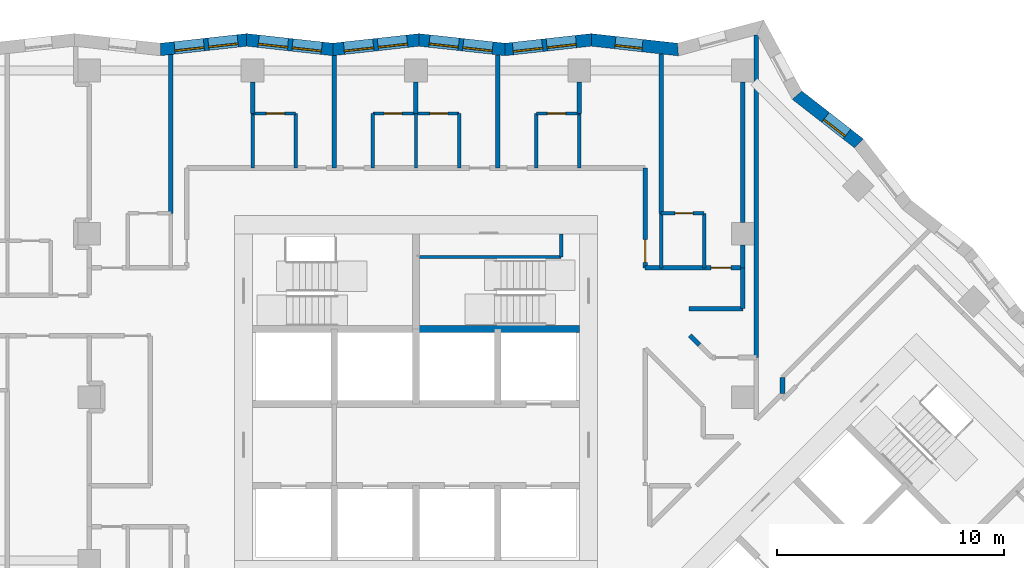
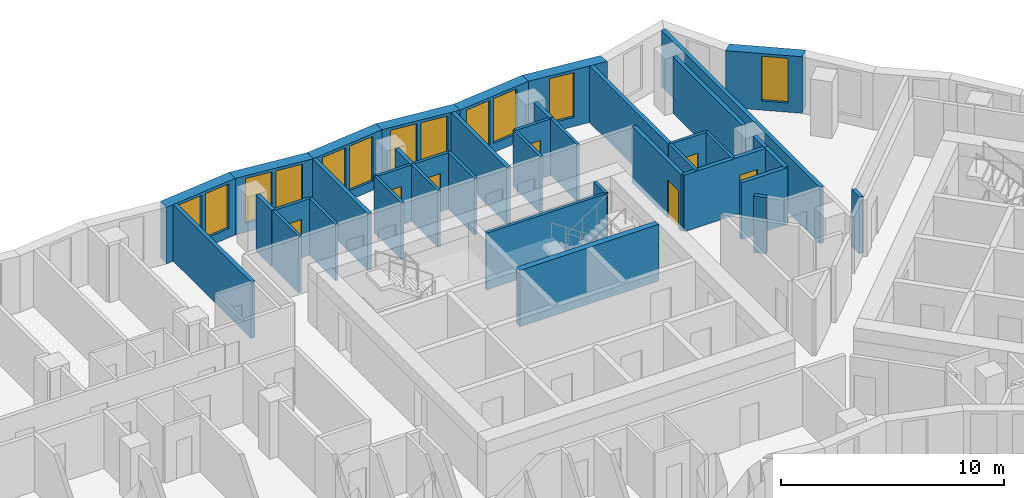
# One storey, part 7 of 13: 39 walls, 12 windows, 7 doors, 19 openings.
"""IFC4 building model written with IfcOpenShell, lengths in metres."""

from ifc_helpers import new_model, si_unit, direction, frame, frame_2d, origin, place, context, subcontext, project, spatial, polyline, rectangle, outline, extrude, material, layer, layer_set, type_object, element, fill, save


model = new_model("IFC4")

# Units and contexts
model_context = context("Model", 3, precision=1e-05, world=origin(), true_north=direction((0.0, 1.0)))
body_context = subcontext(model_context, "Body", "Model", "MODEL_VIEW")
ifc_project = project(units=[si_unit("LENGTHUNIT", "METRE"), si_unit("AREAUNIT", "SQUARE_METRE"), si_unit("VOLUMEUNIT", "CUBIC_METRE"), si_unit("PLANEANGLEUNIT", "RADIAN"), si_unit("MASSUNIT", "GRAM", prefix="KILO")], contexts=[model_context])

# Site, building, storey
site_placement = place(None, origin())
site = spatial("IfcSite", under=ifc_project, at=site_placement, CompositionType="ELEMENT")
building_placement = place(site_placement, origin())
building = spatial("IfcBuilding", under=site, at=building_placement, Name="Windrow Commons", CompositionType="ELEMENT")
storey_placement = place(building_placement, frame((0.0, 0.0, 94.8)))
storey = spatial("IfcBuildingStorey", under=building, at=storey_placement, Name="L25", CompositionType="ELEMENT", Elevation=94.8)

# Wall, opening, window
ifc_material_1 = material(Name="Brick masonry, red clay brick", Category="masonry")
ifc_layer_1 = layer(ifc_material_1, 0.55)
ifc_layer_set_1 = layer_set([ifc_layer_1], Name="Brick facade wall 550")
wall_type_1 = type_object("IfcWallType", Name="Brick facade wall 550", PredefinedType="SOLIDWALL", material=ifc_layer_set_1)
wall_1_placement = place(storey_placement, frame((84.3203, 68.7804, 0.0), z_axis=(0.0, 0.0, 1.0), x_axis=(-0.7884638811, 0.6150810582, 0.0)))
wall_1 = element("IfcWall", 1, at=wall_1_placement, inside=storey, type_object=wall_type_1, Name="Brick facade wall L25 19", PredefinedType="SOLIDWALL", context=body_context, shape_type="SweptSolid", body=[
    extrude(outline(polyline([(-0.034, -0.275), (3.4005, -0.275), (3.516, 0.275), (0.034, 0.275), (-0.034, -0.275)])), origin(), (0.0, 0.0, 1.0), 3.1),
])
opening_1_placement = place(wall_1_placement, frame((0.6743, 0.0, 0.5)))
opening_1 = element("IfcOpeningElement", 2, at=opening_1_placement, cuts=wall_1, Name="Opening W7D", PredefinedType="OPENING", context=body_context, shape_type="SweptSolid", body=[
    extrude(rectangle(XDim=1.2, YDim=2.45, at=frame_2d((0.6, 1.225))), frame((0.0, 0.285, 0.0), z_axis=(0.0, -1.0, 0.0), x_axis=(1.0, 0.0, 0.0)), (0.0, 0.0, 1.0), 0.57),
])
ifc_material_2 = material(Name="Clear float glass in anodised aluminium frame", Category="aluminium")
window_type_1 = type_object("IfcWindowType", Name="Window W7 notch 1200x2450", PartitioningType="SINGLE_PANEL", PredefinedType="WINDOW", material=ifc_material_2)
window_1_placement = place(opening_1_placement, origin())
window_1 = element("IfcWindow", 3, at=window_1_placement, inside=storey, type_object=window_type_1, Name="Window L25 19.1", OverallHeight=2.45, OverallWidth=1.2, PartitioningType="SINGLE_PANEL", PredefinedType="WINDOW", context=body_context, shape_type="SweptSolid", body=[
    extrude(rectangle(XDim=1.2, YDim=2.45, at=frame_2d((0.6, 1.225))), frame((0.0, 0.155, 0.0), z_axis=(0.0, -1.0, 0.0), x_axis=(1.0, 0.0, 0.0)), (0.0, 0.0, 1.0), 0.06),
])
fill(opening_1, window_1)

wall_2_placement = place(storey_placement, frame((76.345, 72.921, 0.0), z_axis=(0.0, 0.0, 1.0), x_axis=(-0.9939087915, 0.1102057815, 0.0)))
wall_2 = element("IfcWall", 4, at=wall_2_placement, inside=storey, type_object=wall_type_1, Name="Brick facade wall L25 22", PredefinedType="SOLIDWALL", context=body_context, shape_type="SweptSolid", body=[
    extrude(outline(polyline([(0.0519, -0.275), (3.8715, -0.275), (3.8105, 0.275), (-0.0519, 0.275), (0.0519, -0.275)])), origin(), (0.0, 0.0, 1.0), 3.1),
])
opening_2_placement = place(wall_2_placement, frame((1.58, 0.0, 0.5)))
opening_2 = element("IfcOpeningElement", 5, at=opening_2_placement, cuts=wall_2, Name="Opening W7D", PredefinedType="OPENING", context=body_context, shape_type="SweptSolid", body=[
    extrude(rectangle(XDim=1.2, YDim=2.45, at=frame_2d((0.6, 1.225))), frame((0.0, 0.285, 0.0), z_axis=(0.0, -1.0, 0.0), x_axis=(1.0, 0.0, 0.0)), (0.0, 0.0, 1.0), 0.57),
])
window_2_placement = place(opening_2_placement, origin())
window_2 = element("IfcWindow", 6, at=window_2_placement, inside=storey, type_object=window_type_1, Name="Window L25 22.1", OverallHeight=2.45, OverallWidth=1.2, PartitioningType="SINGLE_PANEL", PredefinedType="WINDOW", context=body_context, shape_type="SweptSolid", body=[
    extrude(rectangle(XDim=1.2, YDim=2.45, at=frame_2d((0.6, 1.225))), frame((0.0, 0.155, 0.0), z_axis=(0.0, -1.0, 0.0), x_axis=(1.0, 0.0, 0.0)), (0.0, 0.0, 1.0), 0.06),
])
fill(opening_2, window_2)

# Wall, openings, windows
wall_3_placement = place(storey_placement, frame((72.5274, 73.3443, 0.0), z_axis=(0.0, 0.0, 1.0), x_axis=(-0.99390702, -0.1102217568, 0.0)))
wall_3 = element("IfcWall", 7, at=wall_3_placement, inside=storey, type_object=wall_type_1, Name="Brick facade wall L25 23", PredefinedType="SOLIDWALL", context=body_context, shape_type="SweptSolid", body=[
    extrude(outline(polyline([(-0.0305, -0.275), (3.7891, -0.275), (3.8501, 0.275), (0.0305, 0.275), (-0.0305, -0.275)])), origin(), (0.0, 0.0, 1.0), 3.1),
])
opening_3_placement = place(wall_3_placement, frame((0.6751, 0.0, 0.5)))
opening_3 = element("IfcOpeningElement", 8, at=opening_3_placement, cuts=wall_3, Name="Opening W1P", PredefinedType="OPENING", context=body_context, shape_type="SweptSolid", body=[
    extrude(rectangle(XDim=1.3, YDim=2.45, at=frame_2d((0.65, 1.225))), frame((0.0, 0.285, 0.0), z_axis=(0.0, -1.0, 0.0), x_axis=(1.0, 0.0, 0.0)), (0.0, 0.0, 1.0), 0.57),
])
opening_4_placement = place(wall_3_placement, frame((2.1751, 0.0, 0.5)))
opening_4 = element("IfcOpeningElement", 9, at=opening_4_placement, cuts=wall_3, Name="Opening W1P", PredefinedType="OPENING", context=body_context, shape_type="SweptSolid", body=[
    extrude(rectangle(XDim=1.3, YDim=2.45, at=frame_2d((0.65, 1.225))), frame((0.0, 0.285, 0.0), z_axis=(0.0, -1.0, 0.0), x_axis=(1.0, 0.0, 0.0)), (0.0, 0.0, 1.0), 0.57),
])
ifc_material_3 = material(Name="Clear float glass in anodised aluminium frame", Category="aluminium")
window_type_2 = type_object("IfcWindowType", Name="Window W1P pair 1300x2450", PartitioningType="SINGLE_PANEL", PredefinedType="WINDOW", material=ifc_material_3)
window_3_placement = place(opening_3_placement, origin())
window_3 = element("IfcWindow", 10, at=window_3_placement, inside=storey, type_object=window_type_2, Name="Window L25 23.1A", OverallHeight=2.45, OverallWidth=1.3, PartitioningType="SINGLE_PANEL", PredefinedType="WINDOW", context=body_context, shape_type="SweptSolid", body=[
    extrude(rectangle(XDim=1.3, YDim=2.45, at=frame_2d((0.65, 1.225))), frame((0.0, 0.155, 0.0), z_axis=(0.0, -1.0, 0.0), x_axis=(1.0, 0.0, 0.0)), (0.0, 0.0, 1.0), 0.06),
])
fill(opening_3, window_3)
window_4_placement = place(opening_4_placement, origin())
window_4 = element("IfcWindow", 11, at=window_4_placement, inside=storey, type_object=window_type_2, Name="Window L25 23.1B", OverallHeight=2.45, OverallWidth=1.3, PartitioningType="SINGLE_PANEL", PredefinedType="WINDOW", context=body_context, shape_type="SweptSolid", body=[
    extrude(rectangle(XDim=1.3, YDim=2.45, at=frame_2d((0.65, 1.225))), frame((0.0, 0.155, 0.0), z_axis=(0.0, -1.0, 0.0), x_axis=(1.0, 0.0, 0.0)), (0.0, 0.0, 1.0), 0.06),
])
fill(opening_4, window_4)

wall_4_placement = place(storey_placement, frame((68.7311, 72.9233, 0.0), z_axis=(0.0, 0.0, 1.0), x_axis=(-0.99390702, 0.1102217568, 0.0)))
wall_4 = element("IfcWall", 12, at=wall_4_placement, inside=storey, type_object=wall_type_1, Name="Brick facade wall L25 24", PredefinedType="SOLIDWALL", context=body_context, shape_type="SweptSolid", body=[
    extrude(outline(polyline([(0.0305, -0.275), (3.8501, -0.275), (3.7891, 0.275), (-0.0305, 0.275), (0.0305, -0.275)])), origin(), (0.0, 0.0, 1.0), 3.1),
])
opening_5_placement = place(wall_4_placement, frame((0.5611, 0.0, 0.5)))
opening_5 = element("IfcOpeningElement", 13, at=opening_5_placement, cuts=wall_4, Name="Opening W1P", PredefinedType="OPENING", context=body_context, shape_type="SweptSolid", body=[
    extrude(rectangle(XDim=1.3, YDim=2.45, at=frame_2d((0.65, 1.225))), frame((0.0, 0.285, 0.0), z_axis=(0.0, -1.0, 0.0), x_axis=(1.0, 0.0, 0.0)), (0.0, 0.0, 1.0), 0.57),
])
opening_6_placement = place(wall_4_placement, frame((2.0611, 0.0, 0.5)))
opening_6 = element("IfcOpeningElement", 14, at=opening_6_placement, cuts=wall_4, Name="Opening W1P", PredefinedType="OPENING", context=body_context, shape_type="SweptSolid", body=[
    extrude(rectangle(XDim=1.3, YDim=2.45, at=frame_2d((0.65, 1.225))), frame((0.0, 0.285, 0.0), z_axis=(0.0, -1.0, 0.0), x_axis=(1.0, 0.0, 0.0)), (0.0, 0.0, 1.0), 0.57),
])
window_5_placement = place(opening_5_placement, origin())
window_5 = element("IfcWindow", 15, at=window_5_placement, inside=storey, type_object=window_type_2, Name="Window L25 24.1A", OverallHeight=2.45, OverallWidth=1.3, PartitioningType="SINGLE_PANEL", PredefinedType="WINDOW", context=body_context, shape_type="SweptSolid", body=[
    extrude(rectangle(XDim=1.3, YDim=2.45, at=frame_2d((0.65, 1.225))), frame((0.0, 0.155, 0.0), z_axis=(0.0, -1.0, 0.0), x_axis=(1.0, 0.0, 0.0)), (0.0, 0.0, 1.0), 0.06),
])
fill(opening_5, window_5)
window_6_placement = place(opening_6_placement, origin())
window_6 = element("IfcWindow", 16, at=window_6_placement, inside=storey, type_object=window_type_2, Name="Window L25 24.1B", OverallHeight=2.45, OverallWidth=1.3, PartitioningType="SINGLE_PANEL", PredefinedType="WINDOW", context=body_context, shape_type="SweptSolid", body=[
    extrude(rectangle(XDim=1.3, YDim=2.45, at=frame_2d((0.65, 1.225))), frame((0.0, 0.155, 0.0), z_axis=(0.0, -1.0, 0.0), x_axis=(1.0, 0.0, 0.0)), (0.0, 0.0, 1.0), 0.06),
])
fill(opening_6, window_6)

wall_5_placement = place(storey_placement, frame((64.9348, 73.3443, 0.0), z_axis=(0.0, 0.0, 1.0), x_axis=(-0.993907338, -0.1102188888, 0.0)))
wall_5 = element("IfcWall", 17, at=wall_5_placement, inside=storey, type_object=wall_type_1, Name="Brick facade wall L25 25", PredefinedType="SOLIDWALL", context=body_context, shape_type="SweptSolid", body=[
    extrude(outline(polyline([(-0.0305, -0.275), (3.7891, -0.275), (3.8501, 0.275), (0.0305, 0.275), (-0.0305, -0.275)])), origin(), (0.0, 0.0, 1.0), 3.1),
])
opening_7_placement = place(wall_5_placement, frame((0.525, 0.0, 0.5)))
opening_7 = element("IfcOpeningElement", 18, at=opening_7_placement, cuts=wall_5, Name="Opening W1P", PredefinedType="OPENING", context=body_context, shape_type="SweptSolid", body=[
    extrude(rectangle(XDim=1.3, YDim=2.45, at=frame_2d((0.65, 1.225))), frame((0.0, 0.285, 0.0), z_axis=(0.0, -1.0, 0.0), x_axis=(1.0, 0.0, 0.0)), (0.0, 0.0, 1.0), 0.57),
])
opening_8_placement = place(wall_5_placement, frame((2.025, 0.0, 0.5)))
opening_8 = element("IfcOpeningElement", 19, at=opening_8_placement, cuts=wall_5, Name="Opening W1P", PredefinedType="OPENING", context=body_context, shape_type="SweptSolid", body=[
    extrude(rectangle(XDim=1.3, YDim=2.45, at=frame_2d((0.65, 1.225))), frame((0.0, 0.285, 0.0), z_axis=(0.0, -1.0, 0.0), x_axis=(1.0, 0.0, 0.0)), (0.0, 0.0, 1.0), 0.57),
])
window_7_placement = place(opening_7_placement, origin())
window_7 = element("IfcWindow", 20, at=window_7_placement, inside=storey, type_object=window_type_2, Name="Window L25 25.1A", OverallHeight=2.45, OverallWidth=1.3, PartitioningType="SINGLE_PANEL", PredefinedType="WINDOW", context=body_context, shape_type="SweptSolid", body=[
    extrude(rectangle(XDim=1.3, YDim=2.45, at=frame_2d((0.65, 1.225))), frame((0.0, 0.155, 0.0), z_axis=(0.0, -1.0, 0.0), x_axis=(1.0, 0.0, 0.0)), (0.0, 0.0, 1.0), 0.06),
])
fill(opening_7, window_7)
window_8_placement = place(opening_8_placement, origin())
window_8 = element("IfcWindow", 21, at=window_8_placement, inside=storey, type_object=window_type_2, Name="Window L25 25.1B", OverallHeight=2.45, OverallWidth=1.3, PartitioningType="SINGLE_PANEL", PredefinedType="WINDOW", context=body_context, shape_type="SweptSolid", body=[
    extrude(rectangle(XDim=1.3, YDim=2.45, at=frame_2d((0.65, 1.225))), frame((0.0, 0.155, 0.0), z_axis=(0.0, -1.0, 0.0), x_axis=(1.0, 0.0, 0.0)), (0.0, 0.0, 1.0), 0.06),
])
fill(opening_8, window_8)

wall_6_placement = place(storey_placement, frame((61.1384, 72.9233, 0.0), z_axis=(0.0, 0.0, 1.0), x_axis=(-0.99390702, 0.1102217568, 0.0)))
wall_6 = element("IfcWall", 22, at=wall_6_placement, inside=storey, type_object=wall_type_1, Name="Brick facade wall L25 26", PredefinedType="SOLIDWALL", context=body_context, shape_type="SweptSolid", body=[
    extrude(outline(polyline([(0.0305, -0.275), (3.8501, -0.275), (3.7891, 0.275), (-0.0305, 0.275), (0.0305, -0.275)])), origin(), (0.0, 0.0, 1.0), 3.1),
])
opening_9_placement = place(wall_6_placement, frame((0.4945, 0.0, 0.5)))
opening_9 = element("IfcOpeningElement", 23, at=opening_9_placement, cuts=wall_6, Name="Opening W1P", PredefinedType="OPENING", context=body_context, shape_type="SweptSolid", body=[
    extrude(rectangle(XDim=1.3, YDim=2.45, at=frame_2d((0.65, 1.225))), frame((0.0, 0.285, 0.0), z_axis=(0.0, -1.0, 0.0), x_axis=(1.0, 0.0, 0.0)), (0.0, 0.0, 1.0), 0.57),
])
opening_10_placement = place(wall_6_placement, frame((1.9945, 0.0, 0.5)))
opening_10 = element("IfcOpeningElement", 24, at=opening_10_placement, cuts=wall_6, Name="Opening W1P", PredefinedType="OPENING", context=body_context, shape_type="SweptSolid", body=[
    extrude(rectangle(XDim=1.3, YDim=2.45, at=frame_2d((0.65, 1.225))), frame((0.0, 0.285, 0.0), z_axis=(0.0, -1.0, 0.0), x_axis=(1.0, 0.0, 0.0)), (0.0, 0.0, 1.0), 0.57),
])
window_9_placement = place(opening_9_placement, origin())
window_9 = element("IfcWindow", 25, at=window_9_placement, inside=storey, type_object=window_type_2, Name="Window L25 26.1A", OverallHeight=2.45, OverallWidth=1.3, PartitioningType="SINGLE_PANEL", PredefinedType="WINDOW", context=body_context, shape_type="SweptSolid", body=[
    extrude(rectangle(XDim=1.3, YDim=2.45, at=frame_2d((0.65, 1.225))), frame((0.0, 0.155, 0.0), z_axis=(0.0, -1.0, 0.0), x_axis=(1.0, 0.0, 0.0)), (0.0, 0.0, 1.0), 0.06),
])
fill(opening_9, window_9)
window_10_placement = place(opening_10_placement, origin())
window_10 = element("IfcWindow", 26, at=window_10_placement, inside=storey, type_object=window_type_2, Name="Window L25 26.1B", OverallHeight=2.45, OverallWidth=1.3, PartitioningType="SINGLE_PANEL", PredefinedType="WINDOW", context=body_context, shape_type="SweptSolid", body=[
    extrude(rectangle(XDim=1.3, YDim=2.45, at=frame_2d((0.65, 1.225))), frame((0.0, 0.155, 0.0), z_axis=(0.0, -1.0, 0.0), x_axis=(1.0, 0.0, 0.0)), (0.0, 0.0, 1.0), 0.06),
])
fill(opening_10, window_10)

wall_7_placement = place(storey_placement, frame((57.3421, 73.3443, 0.0), z_axis=(0.0, 0.0, 1.0), x_axis=(-0.99390702, -0.1102217568, 0.0)))
wall_7 = element("IfcWall", 27, at=wall_7_placement, inside=storey, type_object=wall_type_1, Name="Brick facade wall L25 27", PredefinedType="SOLIDWALL", context=body_context, shape_type="SweptSolid", body=[
    extrude(outline(polyline([(-0.0305, -0.275), (3.7891, -0.275), (3.8501, 0.275), (0.0305, 0.275), (-0.0305, -0.275)])), origin(), (0.0, 0.0, 1.0), 3.1),
])
opening_11_placement = place(wall_7_placement, frame((0.3966, 0.0, 0.5)))
opening_11 = element("IfcOpeningElement", 28, at=opening_11_placement, cuts=wall_7, Name="Opening W1P", PredefinedType="OPENING", context=body_context, shape_type="SweptSolid", body=[
    extrude(rectangle(XDim=1.3, YDim=2.45, at=frame_2d((0.65, 1.225))), frame((0.0, 0.285, 0.0), z_axis=(0.0, -1.0, 0.0), x_axis=(1.0, 0.0, 0.0)), (0.0, 0.0, 1.0), 0.57),
])
opening_12_placement = place(wall_7_placement, frame((1.8966, 0.0, 0.5)))
opening_12 = element("IfcOpeningElement", 29, at=opening_12_placement, cuts=wall_7, Name="Opening W1P", PredefinedType="OPENING", context=body_context, shape_type="SweptSolid", body=[
    extrude(rectangle(XDim=1.3, YDim=2.45, at=frame_2d((0.65, 1.225))), frame((0.0, 0.285, 0.0), z_axis=(0.0, -1.0, 0.0), x_axis=(1.0, 0.0, 0.0)), (0.0, 0.0, 1.0), 0.57),
])
window_11_placement = place(opening_11_placement, origin())
window_11 = element("IfcWindow", 30, at=window_11_placement, inside=storey, type_object=window_type_2, Name="Window L25 27.1A", OverallHeight=2.45, OverallWidth=1.3, PartitioningType="SINGLE_PANEL", PredefinedType="WINDOW", context=body_context, shape_type="SweptSolid", body=[
    extrude(rectangle(XDim=1.3, YDim=2.45, at=frame_2d((0.65, 1.225))), frame((0.0, 0.155, 0.0), z_axis=(0.0, -1.0, 0.0), x_axis=(1.0, 0.0, 0.0)), (0.0, 0.0, 1.0), 0.06),
])
fill(opening_11, window_11)
window_12_placement = place(opening_12_placement, origin())
window_12 = element("IfcWindow", 31, at=window_12_placement, inside=storey, type_object=window_type_2, Name="Window L25 27.1B", OverallHeight=2.45, OverallWidth=1.3, PartitioningType="SINGLE_PANEL", PredefinedType="WINDOW", context=body_context, shape_type="SweptSolid", body=[
    extrude(rectangle(XDim=1.3, YDim=2.45, at=frame_2d((0.65, 1.225))), frame((0.0, 0.155, 0.0), z_axis=(0.0, -1.0, 0.0), x_axis=(1.0, 0.0, 0.0)), (0.0, 0.0, 1.0), 0.06),
])
fill(opening_12, window_12)

# Wall, opening, door
ifc_material_4 = material(Name="Blockwork partition", Category="masonry")
ifc_layer_2 = layer(ifc_material_4, 0.2)
ifc_layer_set_2 = layer_set([ifc_layer_2], Name="IW-CORRIDOR-200")
wall_type_2 = type_object("IfcWallType", Name="IW-CORRIDOR-200", PredefinedType="PARTITIONING", material=ifc_layer_set_2)
wall_8_placement = place(storey_placement, frame((74.9, 63.302, 0.0), z_axis=(0.0, 0.0, 1.0), x_axis=(0.0, 1.0, 0.0)))
wall_8 = element("IfcWall", 32, at=wall_8_placement, inside=storey, type_object=wall_type_2, Name="W-L25-W048", PredefinedType="PARTITIONING", context=body_context, shape_type="SweptSolid", body=[
    extrude(rectangle(XDim=4.398, YDim=0.2, at=frame_2d((2.199, 0.0))), origin(), (0.0, 0.0, 1.0), 3.1),
])
opening_13_placement = place(wall_8_placement, frame((0.2417, 0.0, 0.0)))
opening_13 = element("IfcOpeningElement", 33, at=opening_13_placement, cuts=wall_8, Name="Opening D310F", PredefinedType="OPENING", context=body_context, shape_type="SweptSolid", body=[
    extrude(rectangle(XDim=1.0, YDim=2.1, at=frame_2d((0.5, 1.05))), frame((0.0, 0.11, 0.0), z_axis=(0.0, -1.0, 0.0), x_axis=(1.0, 0.0, 0.0)), (0.0, 0.0, 1.0), 0.22),
])
ifc_material_5 = material(Name="Timber door leaf", Category="wood")
door_type_1 = type_object("IfcDoorType", Name="DT-AMENITY-1000", OperationType="SINGLE_SWING_LEFT", PredefinedType="DOOR", material=ifc_material_5)
door_1_placement = place(opening_13_placement, origin())
door_1 = element("IfcDoor", 34, at=door_1_placement, inside=storey, type_object=door_type_1, Name="D-L25-D022", OperationType="SINGLE_SWING_RIGHT", OverallHeight=2.1, OverallWidth=1.0, PredefinedType="DOOR", context=body_context, shape_type="SweptSolid", body=[
    extrude(rectangle(XDim=1.0, YDim=2.1, at=frame_2d((0.5, 1.05))), frame((0.0, 0.025, 0.0), z_axis=(0.0, -1.0, 0.0), x_axis=(1.0, 0.0, 0.0)), (0.0, 0.0, 1.0), 0.05),
])
fill(opening_13, door_1)

wall_9_placement = place(storey_placement, frame((74.902, 63.3, 0.0), z_axis=(0.0, 0.0, 1.0), x_axis=(1.0, 0.0, 0.0)))
wall_9 = element("IfcWall", 35, at=wall_9_placement, inside=storey, type_object=wall_type_2, Name="W-L25-W053", PredefinedType="PARTITIONING", context=body_context, shape_type="SweptSolid", body=[
    extrude(rectangle(XDim=4.298, YDim=0.2, at=frame_2d((2.149, 0.0))), origin(), (0.0, 0.0, 1.0), 3.1),
])
opening_14_placement = place(wall_9_placement, frame((2.888, 0.0, 0.0)))
opening_14 = element("IfcOpeningElement", 36, at=opening_14_placement, cuts=wall_9, Name="Opening D109S", PredefinedType="OPENING", context=body_context, shape_type="SweptSolid", body=[
    extrude(rectangle(XDim=0.9, YDim=2.1, at=frame_2d((0.45, 1.05))), frame((0.0, 0.11, 0.0), z_axis=(0.0, -1.0, 0.0), x_axis=(1.0, 0.0, 0.0)), (0.0, 0.0, 1.0), 0.22),
])
ifc_material_6 = material(Name="Timber door leaf", Category="wood")
door_type_2 = type_object("IfcDoorType", Name="DT-BEDROOM-900", OperationType="SINGLE_SWING_LEFT", PredefinedType="DOOR", material=ifc_material_6)
door_2_placement = place(opening_14_placement, origin())
door_2 = element("IfcDoor", 37, at=door_2_placement, inside=storey, type_object=door_type_2, Name="D-L25-D023", OperationType="SINGLE_SWING_LEFT", OverallHeight=2.1, OverallWidth=0.9, PredefinedType="DOOR", context=body_context, shape_type="SweptSolid", body=[
    extrude(rectangle(XDim=0.9, YDim=2.1, at=frame_2d((0.45, 1.05))), frame((0.0, 0.025, 0.0), z_axis=(0.0, -1.0, 0.0), x_axis=(1.0, 0.0, 0.0)), (0.0, 0.0, 1.0), 0.05),
])
fill(opening_14, door_2)

# Walls
wall_10_placement = place(storey_placement, frame((76.83, 61.5, 0.0), z_axis=(0.0, 0.0, 1.0), x_axis=(1.0, 0.0, 0.0)))
element("IfcWall", 38, at=wall_10_placement, inside=storey, type_object=wall_type_2, Name="W-L25-W113", PredefinedType="PARTITIONING", context=body_context, shape_type="SweptSolid", body=[
    extrude(rectangle(XDim=2.37, YDim=0.2, at=frame_2d((1.185, 0.0))), origin(), (0.0, 0.0, 1.0), 3.1),
])
wall_11_placement = place(storey_placement, frame((79.2, 61.502, 0.0), z_axis=(0.0, 0.0, 1.0), x_axis=(0.0, 1.0, 0.0)))
element("IfcWall", 39, at=wall_11_placement, inside=storey, type_object=wall_type_2, Name="W-L25-W154", PredefinedType="PARTITIONING", context=body_context, shape_type="SweptSolid", body=[
    extrude(rectangle(XDim=1.798, YDim=0.2, at=frame_2d((0.899, 0.0))), origin(), (0.0, 0.0, 1.0), 3.1),
])
wall_12_placement = place(storey_placement, frame((76.8654, 60.3274, 0.0), z_axis=(0.0, 0.0, 1.0), x_axis=(0.7071067812, -0.7071067812, 0.0)))
element("IfcWall", 40, at=wall_12_placement, inside=storey, type_object=wall_type_2, Name="W-L25-W204", PredefinedType="PARTITIONING", context=body_context, shape_type="SweptSolid", body=[
    extrude(rectangle(XDim=0.5968, YDim=0.2, at=frame_2d((0.2984, 0.0))), origin(), (0.0, 0.0, 1.0), 3.1),
])

# Wall, openings, doors
ifc_material_7 = material(Name="Blockwork partition", Category="masonry")
ifc_layer_3 = layer(ifc_material_7, 0.15)
ifc_layer_set_3 = layer_set([ifc_layer_3], Name="IW-ENSUITE-150")
wall_type_3 = type_object("IfcWallType", Name="IW-ENSUITE-150", PredefinedType="PARTITIONING", material=ifc_layer_set_3)
wall_13_placement = place(storey_placement, frame((62.9, 70.1, 0.0), z_axis=(0.0, 0.0, 1.0), x_axis=(1.0, 0.0, 0.0)))
wall_13 = element("IfcWall", 41, at=wall_13_placement, inside=storey, type_object=wall_type_3, Name="W-L25-W055", PredefinedType="PARTITIONING", context=body_context, shape_type="SweptSolid", body=[
    extrude(rectangle(XDim=3.8, YDim=0.15, at=frame_2d((1.9, 0.0))), origin(), (0.0, 0.0, 1.0), 3.1),
])
opening_15_placement = place(wall_13_placement, frame((0.4931, 0.0, 0.0)))
opening_15 = element("IfcOpeningElement", 42, at=opening_15_placement, cuts=wall_13, Name="Opening D208N", PredefinedType="OPENING", context=body_context, shape_type="SweptSolid", body=[
    extrude(rectangle(XDim=0.8, YDim=2.1, at=frame_2d((0.4, 1.05))), frame((0.0, 0.085, 0.0), z_axis=(0.0, -1.0, 0.0), x_axis=(1.0, 0.0, 0.0)), (0.0, 0.0, 1.0), 0.17),
])
opening_16_placement = place(wall_13_placement, frame((2.5069, 0.0, 0.0)))
opening_16 = element("IfcOpeningElement", 43, at=opening_16_placement, cuts=wall_13, Name="Opening D208N", PredefinedType="OPENING", context=body_context, shape_type="SweptSolid", body=[
    extrude(rectangle(XDim=0.8, YDim=2.1, at=frame_2d((0.4, 1.05))), frame((0.0, 0.085, 0.0), z_axis=(0.0, -1.0, 0.0), x_axis=(1.0, 0.0, 0.0)), (0.0, 0.0, 1.0), 0.17),
])
ifc_material_8 = material(Name="Timber door leaf", Category="wood")
door_type_3 = type_object("IfcDoorType", Name="DT-ENSUITE-800", OperationType="SINGLE_SWING_LEFT", PredefinedType="DOOR", material=ifc_material_8)
door_3_placement = place(opening_15_placement, origin())
door_3 = element("IfcDoor", 44, at=door_3_placement, inside=storey, type_object=door_type_3, Name="D-L25-D032", OperationType="SINGLE_SWING_RIGHT", OverallHeight=2.1, OverallWidth=0.8, PredefinedType="DOOR", context=body_context, shape_type="SweptSolid", body=[
    extrude(rectangle(XDim=0.8, YDim=2.1, at=frame_2d((0.4, 1.05))), frame((0.0, 0.025, 0.0), z_axis=(0.0, -1.0, 0.0), x_axis=(1.0, 0.0, 0.0)), (0.0, 0.0, 1.0), 0.05),
])
fill(opening_15, door_3)
door_4_placement = place(opening_16_placement, origin())
door_4 = element("IfcDoor", 45, at=door_4_placement, inside=storey, type_object=door_type_3, Name="D-L25-D034", OperationType="SINGLE_SWING_RIGHT", OverallHeight=2.1, OverallWidth=0.8, PredefinedType="DOOR", context=body_context, shape_type="SweptSolid", body=[
    extrude(rectangle(XDim=0.8, YDim=2.1, at=frame_2d((0.4, 1.05))), frame((0.0, 0.025, 0.0), z_axis=(0.0, -1.0, 0.0), x_axis=(1.0, 0.0, 0.0)), (0.0, 0.0, 1.0), 0.05),
])
fill(opening_16, door_4)

# Walls
for number, where, z_axis, x_axis, name in (
    (46, (75.6, 63.3, 0.0), (0.0, 0.0, 1.0), (0.0, 1.0, 0.0), "W-L25-W075"),
    (47, (77.5, 63.3, 0.0), (0.0, 0.0, 1.0), (0.0, 1.0, 0.0), "W-L25-W076"),
    (48, (59.5, 67.7, 0.0), (0.0, 0.0, 1.0), (0.0, 1.0, 0.0), "W-L25-W092"),
    (49, (57.6, 67.7, 0.0), (0.0, 0.0, 1.0), (0.0, 1.0, 0.0), "W-L25-W093"),
    (50, (62.9, 67.7, 0.0), (0.0, 0.0, 1.0), (0.0, 1.0, 0.0), "W-L25-W094"),
    (51, (64.8, 67.7, 0.0), (0.0, 0.0, 1.0), (0.0, 1.0, 0.0), "W-L25-W095"),
    (52, (66.7, 67.7, 0.0), (0.0, 0.0, 1.0), (0.0, 1.0, 0.0), "W-L25-W096"),
    (53, (70.1, 67.7, 0.0), (0.0, 0.0, 1.0), (0.0, 1.0, 0.0), "W-L25-W097"),
    (54, (72.0, 67.7, 0.0), (0.0, 0.0, 1.0), (0.0, 1.0, 0.0), "W-L25-W098"),
):
    element("IfcWall", number, at=place(storey_placement, frame(where, z_axis=z_axis, x_axis=x_axis)), inside=storey, type_object=wall_type_3, Name=name, PredefinedType="PARTITIONING", context=body_context, shape_type="SweptSolid", body=[
        extrude(rectangle(XDim=2.4, YDim=0.15, at=frame_2d((1.2, 0.0))), origin(), (0.0, 0.0, 1.0), 3.1),
    ])

# Wall, opening, door
wall_14_placement = place(storey_placement, frame((75.6, 65.7, 0.0), z_axis=(0.0, 0.0, 1.0), x_axis=(1.0, 0.0, 0.0)))
wall_14 = element("IfcWall", 55, at=wall_14_placement, inside=storey, type_object=wall_type_3, Name="W-L25-W136", PredefinedType="PARTITIONING", context=body_context, shape_type="SweptSolid", body=[
    extrude(rectangle(XDim=1.9, YDim=0.15, at=frame_2d((0.95, 0.0))), origin(), (0.0, 0.0, 1.0), 3.1),
])
opening_17_placement = place(wall_14_placement, frame((0.6069, 0.0, 0.0)))
opening_17 = element("IfcOpeningElement", 56, at=opening_17_placement, cuts=wall_14, Name="Opening D208N", PredefinedType="OPENING", context=body_context, shape_type="SweptSolid", body=[
    extrude(rectangle(XDim=0.8, YDim=2.1, at=frame_2d((0.4, 1.05))), frame((0.0, 0.085, 0.0), z_axis=(0.0, -1.0, 0.0), x_axis=(1.0, 0.0, 0.0)), (0.0, 0.0, 1.0), 0.17),
])
door_5_placement = place(opening_17_placement, origin())
door_5 = element("IfcDoor", 57, at=door_5_placement, inside=storey, type_object=door_type_3, Name="D-L25-D024", OperationType="SINGLE_SWING_RIGHT", OverallHeight=2.1, OverallWidth=0.8, PredefinedType="DOOR", context=body_context, shape_type="SweptSolid", body=[
    extrude(rectangle(XDim=0.8, YDim=2.1, at=frame_2d((0.4, 1.05))), frame((0.0, 0.025, 0.0), z_axis=(0.0, -1.0, 0.0), x_axis=(1.0, 0.0, 0.0)), (0.0, 0.0, 1.0), 0.05),
])
fill(opening_17, door_5)

wall_15_placement = place(storey_placement, frame((70.1, 70.1, 0.0), z_axis=(0.0, 0.0, 1.0), x_axis=(1.0, 0.0, 0.0)))
wall_15 = element("IfcWall", 58, at=wall_15_placement, inside=storey, type_object=wall_type_3, Name="W-L25-W137", PredefinedType="PARTITIONING", context=body_context, shape_type="SweptSolid", body=[
    extrude(rectangle(XDim=1.9, YDim=0.15, at=frame_2d((0.95, 0.0))), origin(), (0.0, 0.0, 1.0), 3.1),
])
opening_18_placement = place(wall_15_placement, frame((0.4931, 0.0, 0.0)))
opening_18 = element("IfcOpeningElement", 59, at=opening_18_placement, cuts=wall_15, Name="Opening D208N", PredefinedType="OPENING", context=body_context, shape_type="SweptSolid", body=[
    extrude(rectangle(XDim=0.8, YDim=2.1, at=frame_2d((0.4, 1.05))), frame((0.0, 0.085, 0.0), z_axis=(0.0, -1.0, 0.0), x_axis=(1.0, 0.0, 0.0)), (0.0, 0.0, 1.0), 0.17),
])
door_6_placement = place(opening_18_placement, origin())
door_6 = element("IfcDoor", 60, at=door_6_placement, inside=storey, type_object=door_type_3, Name="D-L25-D036", OperationType="SINGLE_SWING_RIGHT", OverallHeight=2.1, OverallWidth=0.8, PredefinedType="DOOR", context=body_context, shape_type="SweptSolid", body=[
    extrude(rectangle(XDim=0.8, YDim=2.1, at=frame_2d((0.4, 1.05))), frame((0.0, 0.025, 0.0), z_axis=(0.0, -1.0, 0.0), x_axis=(1.0, 0.0, 0.0)), (0.0, 0.0, 1.0), 0.05),
])
fill(opening_18, door_6)

wall_16_placement = place(storey_placement, frame((57.6, 70.1, 0.0), z_axis=(0.0, 0.0, 1.0), x_axis=(1.0, 0.0, 0.0)))
wall_16 = element("IfcWall", 61, at=wall_16_placement, inside=storey, type_object=wall_type_3, Name="W-L25-W143", PredefinedType="PARTITIONING", context=body_context, shape_type="SweptSolid", body=[
    extrude(rectangle(XDim=1.9, YDim=0.15, at=frame_2d((0.95, 0.0))), origin(), (0.0, 0.0, 1.0), 3.1),
])
opening_19_placement = place(wall_16_placement, frame((0.6069, 0.0, 0.0)))
opening_19 = element("IfcOpeningElement", 62, at=opening_19_placement, cuts=wall_16, Name="Opening D208N", PredefinedType="OPENING", context=body_context, shape_type="SweptSolid", body=[
    extrude(rectangle(XDim=0.8, YDim=2.1, at=frame_2d((0.4, 1.05))), frame((0.0, 0.085, 0.0), z_axis=(0.0, -1.0, 0.0), x_axis=(1.0, 0.0, 0.0)), (0.0, 0.0, 1.0), 0.17),
])
door_7_placement = place(opening_19_placement, origin())
door_7 = element("IfcDoor", 63, at=door_7_placement, inside=storey, type_object=door_type_3, Name="D-L25-D030", OperationType="SINGLE_SWING_RIGHT", OverallHeight=2.1, OverallWidth=0.8, PredefinedType="DOOR", context=body_context, shape_type="SweptSolid", body=[
    extrude(rectangle(XDim=0.8, YDim=2.1, at=frame_2d((0.4, 1.05))), frame((0.0, 0.025, 0.0), z_axis=(0.0, -1.0, 0.0), x_axis=(1.0, 0.0, 0.0)), (0.0, 0.0, 1.0), 0.05),
])
fill(opening_19, door_7)

# Walls
ifc_material_9 = material(Name="Blockwork partition", Category="masonry")
ifc_layer_4 = layer(ifc_material_9, 0.2)
ifc_layer_set_4 = layer_set([ifc_layer_4], Name="IW-PARTY-200")
wall_type_4 = type_object("IfcWallType", Name="IW-PARTY-200", PredefinedType="PARTITIONING", material=ifc_layer_set_4)
wall_17_placement = place(storey_placement, frame((79.8, 59.35, 0.0), z_axis=(0.0, 0.0, 1.0), x_axis=(0.0, 1.0, 0.0)))
element("IfcWall", 64, at=wall_17_placement, inside=storey, type_object=wall_type_4, Name="W-L25-W005", PredefinedType="PARTITIONING", context=body_context, shape_type="SweptSolid", body=[
    extrude(rectangle(XDim=14.2154, YDim=0.2, at=frame_2d((7.1077, 0.0))), origin(), (0.0, 0.0, 1.0), 3.1),
])
wall_18_placement = place(storey_placement, frame((75.6, 65.7, 0.0), z_axis=(0.0, 0.0, 1.0), x_axis=(0.0, 1.0, 0.0)))
element("IfcWall", 65, at=wall_18_placement, inside=storey, type_object=wall_type_4, Name="W-L25-W022", PredefinedType="PARTITIONING", context=body_context, shape_type="SweptSolid", body=[
    extrude(rectangle(XDim=7.0269, YDim=0.2, at=frame_2d((3.5135, 0.0))), origin(), (0.0, 0.0, 1.0), 3.1),
])
wall_19_placement = place(storey_placement, frame((54.0, 65.7, 0.0), z_axis=(0.0, 0.0, 1.0), x_axis=(0.0, 1.0, 0.0)))
element("IfcWall", 66, at=wall_19_placement, inside=storey, type_object=wall_type_4, Name="W-L25-W023", PredefinedType="PARTITIONING", context=body_context, shape_type="SweptSolid", body=[
    extrude(rectangle(XDim=6.997, YDim=0.2, at=frame_2d((3.4985, 0.0))), origin(), (0.0, 0.0, 1.0), 3.1),
])
wall_20_placement = place(storey_placement, frame((79.2, 65.3, 0.0), z_axis=(0.0, 0.0, 1.0), x_axis=(0.0, 1.0, 0.0)))
element("IfcWall", 67, at=wall_20_placement, inside=storey, type_object=wall_type_4, Name="W-L25-W027", PredefinedType="PARTITIONING", context=body_context, shape_type="SweptSolid", body=[
    extrude(rectangle(XDim=6.2, YDim=0.2, at=frame_2d((3.1, 0.0))), origin(), (0.0, 0.0, 1.0), 3.1),
])
wall_21_placement = place(storey_placement, frame((68.4, 67.7, 0.0), z_axis=(0.0, 0.0, 1.0), x_axis=(0.0, 1.0, 0.0)))
element("IfcWall", 68, at=wall_21_placement, inside=storey, type_object=wall_type_4, Name="W-L25-W043", PredefinedType="PARTITIONING", context=body_context, shape_type="SweptSolid", body=[
    extrude(rectangle(XDim=4.9833, YDim=0.2, at=frame_2d((2.4916, 0.0))), origin(), (0.0, 0.0, 1.0), 3.1),
])
wall_22_placement = place(storey_placement, frame((61.2, 67.7, 0.0), z_axis=(0.0, 0.0, 1.0), x_axis=(0.0, 1.0, 0.0)))
element("IfcWall", 69, at=wall_22_placement, inside=storey, type_object=wall_type_4, Name="W-L25-W044", PredefinedType="PARTITIONING", context=body_context, shape_type="SweptSolid", body=[
    extrude(rectangle(XDim=4.9535, YDim=0.2, at=frame_2d((2.4768, 0.0))), origin(), (0.0, 0.0, 1.0), 3.1),
])
for number, where, z_axis, x_axis, name in (
    (70, (57.6, 70.1, 0.0), (0.0, 0.0, 1.0), (0.0, 1.0, 0.0), "W-L25-W166"),
    (71, (64.8, 70.1, 0.0), (0.0, 0.0, 1.0), (0.0, 1.0, 0.0), "W-L25-W167"),
    (72, (72.0, 70.1, 0.0), (0.0, 0.0, 1.0), (0.0, 1.0, 0.0), "W-L25-W168"),
):
    element("IfcWall", number, at=place(storey_placement, frame(where, z_axis=z_axis, x_axis=x_axis)), inside=storey, type_object=wall_type_4, Name=name, PredefinedType="PARTITIONING", context=body_context, shape_type="SweptSolid", body=[
        extrude(rectangle(XDim=1.4, YDim=0.2, at=frame_2d((0.7, 0.0))), origin(), (0.0, 0.0, 1.0), 3.1),
    ])
wall_23_placement = place(storey_placement, frame((79.2, 63.3, 0.0), z_axis=(0.0, 0.0, 1.0), x_axis=(0.0, 1.0, 0.0)))
element("IfcWall", 73, at=wall_23_placement, inside=storey, type_object=wall_type_4, Name="W-L25-W183", PredefinedType="PARTITIONING", context=body_context, shape_type="SweptSolid", body=[
    extrude(rectangle(XDim=1.0, YDim=0.2, at=frame_2d((0.5, 0.0))), origin(), (0.0, 0.0, 1.0), 3.1),
])
wall_24_placement = place(storey_placement, frame((80.95, 57.77, 0.0), z_axis=(0.0, 0.0, 1.0), x_axis=(0.0, 1.0, 0.0)))
element("IfcWall", 74, at=wall_24_placement, inside=storey, type_object=wall_type_4, Name="W-L25-W189", PredefinedType="PARTITIONING", context=body_context, shape_type="SweptSolid", body=[
    extrude(rectangle(XDim=0.706, YDim=0.2, at=frame_2d((0.353, 0.0))), origin(), (0.0, 0.0, 1.0), 3.1),
])
ifc_material_10 = material(Name="Concrete C50/60", Category="concrete")
ifc_layer_5 = layer(ifc_material_10, 0.3)
ifc_layer_set_5 = layer_set([ifc_layer_5], Name="RC SHAFT WALL 300 C50/60")
wall_type_5 = type_object("IfcWallType", Name="RC SHAFT WALL 300 C50/60", PredefinedType="SOLIDWALL", material=ifc_layer_set_5)
wall_25_placement = place(storey_placement, frame((64.8, 60.6, 0.0), z_axis=(0.0, 0.0, 1.0), x_axis=(1.0, 0.0, 0.0)))
element("IfcWall", 75, at=wall_25_placement, inside=storey, type_object=wall_type_5, Name="Core A wall stair-S2", PredefinedType="SOLIDWALL", context=body_context, shape_type="SweptSolid", body=[
    extrude(rectangle(XDim=7.2, YDim=0.3, at=frame_2d((3.6, 0.0))), origin(), (0.0, 0.0, 1.0), 3.1),
])
ifc_material_11 = material(Name="Blockwork partition", Category="masonry")
ifc_layer_6 = layer(ifc_material_11, 0.15)
ifc_layer_set_6 = layer_set([ifc_layer_6], Name="Riser partition 150")
wall_type_6 = type_object("IfcWallType", Name="Riser partition 150", PredefinedType="PARTITIONING", material=ifc_layer_set_6)
wall_26_placement = place(storey_placement, frame((64.95, 63.78, 0.0), z_axis=(0.0, 0.0, 1.0), x_axis=(1.0, 0.0, 0.0)))
element("IfcWall", 76, at=wall_26_placement, inside=storey, type_object=wall_type_6, Name="W-core-strip-A-L25", PredefinedType="PARTITIONING", context=body_context, shape_type="SweptSolid", body=[
    extrude(rectangle(XDim=6.25, YDim=0.15, at=frame_2d((3.125, 0.0))), origin(), (0.0, 0.0, 1.0), 3.1),
])
wall_27_placement = place(storey_placement, frame((71.2, 63.78, 0.0), z_axis=(0.0, 0.0, 1.0), x_axis=(0.0, 1.0, 0.0)))
element("IfcWall", 77, at=wall_27_placement, inside=storey, type_object=wall_type_6, Name="W-core-stripx-A-L25-1", PredefinedType="PARTITIONING", context=body_context, shape_type="SweptSolid", body=[
    extrude(rectangle(XDim=1.02, YDim=0.15, at=frame_2d((0.51, 0.0))), origin(), (0.0, 0.0, 1.0), 3.1),
])

save(model, "model.ifc")
